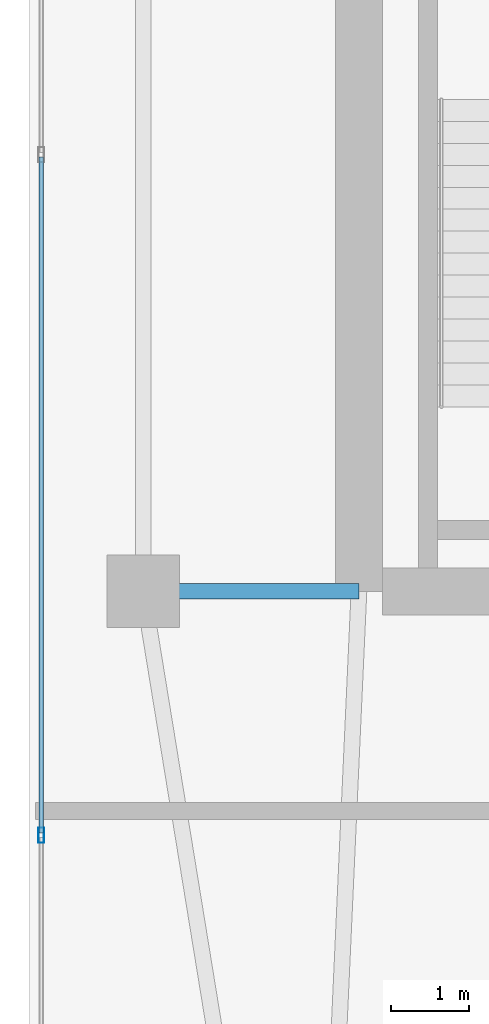
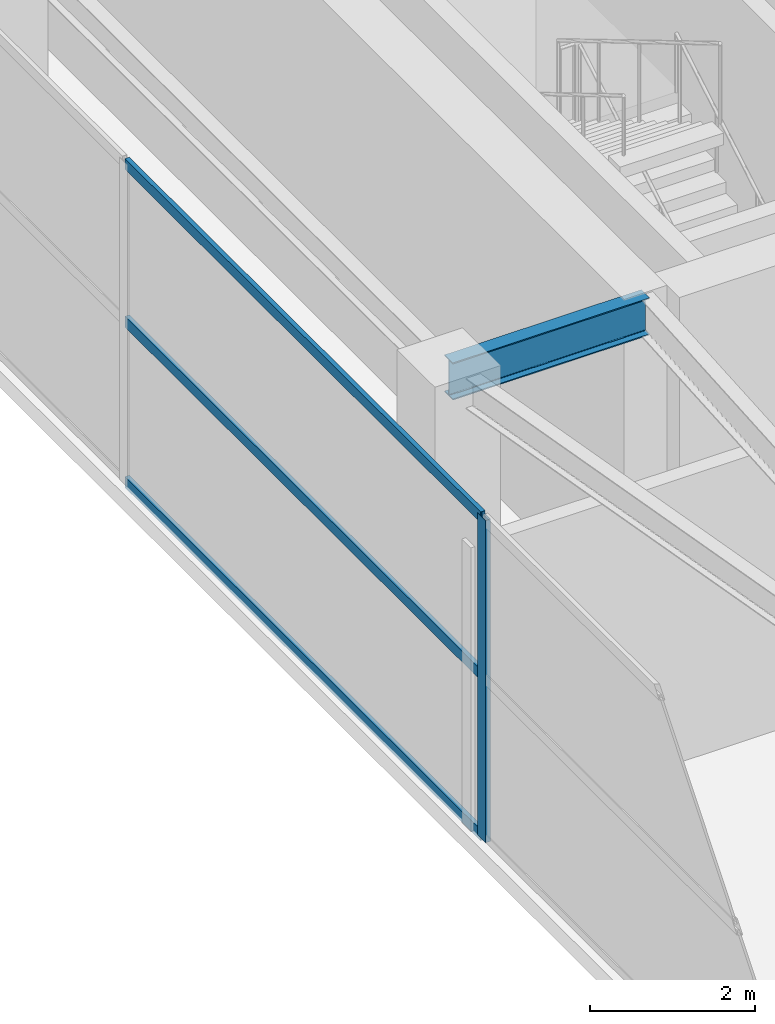
# One storey, part 5 of 20: 4 members, 1 beam, 1 element without a shape of its own.
"""IFC4 building model written with IfcOpenShell, lengths in metres."""

from ifc_helpers import new_model, si_unit, direction, frame, origin, origin_2d, place, context, subcontext, project, spatial, hollow_rectangle, i_section, extrude, material, layer, layer_set, material_profile, profile_set, type_object, element, aggregate, save


model = new_model("IFC4")

# Units and contexts
model_context = context("Model", 3, precision=1e-05, world=origin(), true_north=direction((0.0, 1.0)))
body_context = subcontext(model_context, "Body", "Model", "MODEL_VIEW")
ifc_project = project(units=[si_unit("LENGTHUNIT", "METRE"), si_unit("AREAUNIT", "SQUARE_METRE"), si_unit("VOLUMEUNIT", "CUBIC_METRE"), si_unit("PLANEANGLEUNIT", "RADIAN"), si_unit("MASSUNIT", "GRAM", prefix="KILO")], contexts=[model_context])

# Site, building, storey
site_placement = place(None, origin())
site = spatial("IfcSite", under=ifc_project, at=site_placement, CompositionType="ELEMENT")
building_placement = place(site_placement, origin())
building = spatial("IfcBuilding", under=site, at=building_placement, Name="Calvorn Quay Hotel", CompositionType="ELEMENT")
storey_placement = place(building_placement, frame((0.0, 0.0, 335.5)))
storey = spatial("IfcBuildingStorey", under=building, at=storey_placement, Name="L82", CompositionType="ELEMENT", Elevation=335.5)

# Beam
ifc_material_1 = material(Name="Steel Q355B", Category="steel")
ifc_material_profile_1 = material_profile(ifc_material_1, i_section(OverallWidth=0.199951171875, OverallDepth=0.550048828125, WebThickness=0.010009765625, FlangeThickness=0.01611328125, FilletRadius=0.01806640625, at=origin_2d()), Name="HN550x200x10x16")
ifc_profile_set_1 = profile_set([ifc_material_profile_1], Name="Steel Q355B")
beam_type = type_object("IfcBeamType", Name="BM-GIRD-UPP", PredefinedType="BEAM", material=ifc_profile_set_1)
beam_placement = place(storey_placement, frame((1.449951171875, 16.800048828125, 4.465087890625), z_axis=(1.0, 0.0, 0.0), x_axis=(0.0, 1.0, 0.0)))
element("IfcBeam", 1, at=beam_placement, inside=storey, type_object=beam_type, Name="Beam BG-L82-W1", PredefinedType="BEAM", context=body_context, shape_type="SweptSolid", body=[
    extrude(i_section(OverallWidth=0.199951171875, OverallDepth=0.550048828125, WebThickness=0.010009765625, FlangeThickness=0.01611328125, FilletRadius=0.01806640625, at=origin_2d()), origin(), (0.0, 0.0, 1.0), 2.75),
])

# Curtain wall, members
ifc_material_2 = material(Name="Pale Anodised Aluminium and Laminated Glass", Category="aluminium")
ifc_layer = layer(ifc_material_2, 0.219970703125)
ifc_layer_set = layer_set([ifc_layer], Name="CW-SYS-CRN")
curtain_wall_type = type_object("IfcCurtainWallType", Name="CW-SYS-CRN", PredefinedType="NOTDEFINED", material=ifc_layer_set)
curtain_wall_placement = place(storey_placement, origin())
curtain_wall = element("IfcCurtainWall", 2, at=curtain_wall_placement, inside=storey, type_object=curtain_wall_type, Name="Crown Curtain Wall L82-C5", PredefinedType="NOTDEFINED")
ifc_material_3 = material(Name="Pale Anodised Aluminium 6063-T6", Category="aluminium")
ifc_material_profile_2 = material_profile(ifc_material_3, hollow_rectangle(XDim=0.072021484375, YDim=0.195068359375, WallThickness=0.00390625, at=origin_2d()), Name="ALU-M195x72x4")
ifc_profile_set_2 = profile_set([ifc_material_profile_2], Name="Pale Anodised Aluminium 6063-T6")
member_type_1 = type_object("IfcMemberType", Name="CW-SYS-CRN-MUL", PredefinedType="MULLION", material=ifc_profile_set_2)
member_1_placement = place(storey_placement, frame((0.14990234375, 13.69189453125, 0.0), z_axis=(0.0, 0.0, 1.0), x_axis=(1.0, 0.0, 0.0)))
member_1 = element("IfcMember", 3, at=member_1_placement, type_object=member_type_1, Name="CW-L82-C5 mullion 5", PredefinedType="MULLION", context=body_context, shape_type="SweptSolid", body=[
    extrude(hollow_rectangle(XDim=0.072021484375, YDim=0.195068359375, WallThickness=0.00390625, at=origin_2d()), origin(), (0.0, 0.0, 1.0), 4.760009765625),
])
ifc_material_4 = material(Name="Pale Anodised Aluminium 6063-T6", Category="aluminium")
ifc_material_profile_3 = material_profile(ifc_material_4, hollow_rectangle(XDim=0.06201171875, YDim=0.159912109375, WallThickness=0.00341796875, at=origin_2d()), Name="ALU-T160x62x3.5")
ifc_profile_set_3 = profile_set([ifc_material_profile_3], Name="Pale Anodised Aluminium 6063-T6")
member_type_2 = type_object("IfcMemberType", Name="CW-SYS-CRN-TRN", PredefinedType="USERDEFINED", material=ifc_profile_set_3)
member_2_placement = place(storey_placement, frame((0.14990234375, 22.333984375, 0.030029296875), z_axis=(0.0, -1.0, 0.0), x_axis=(1.0, 0.0, 0.0)))
member_2 = element("IfcMember", 4, at=member_2_placement, type_object=member_type_2, Name="CW-L82-C5 transom 4.1", ObjectType="TRANSOM", PredefinedType="USERDEFINED", context=body_context, shape_type="SweptSolid", body=[
    extrude(hollow_rectangle(XDim=0.06201171875, YDim=0.159912109375, WallThickness=0.00341796875, at=origin_2d()), origin(), (0.0, 0.0, 1.0), 8.612060546875),
])
member_3_placement = place(storey_placement, frame((0.14990234375, 22.333984375, 2.39990234375), z_axis=(0.0, -1.0, 0.0), x_axis=(1.0, 0.0, 0.0)))
member_3 = element("IfcMember", 5, at=member_3_placement, type_object=member_type_2, Name="CW-L82-C5 transom 4.2", ObjectType="TRANSOM", PredefinedType="USERDEFINED", context=body_context, shape_type="SweptSolid", body=[
    extrude(hollow_rectangle(XDim=0.06201171875, YDim=0.159912109375, WallThickness=0.00341796875, at=origin_2d()), origin(), (0.0, 0.0, 1.0), 8.612060546875),
])
member_4_placement = place(storey_placement, frame((0.14990234375, 22.333984375, 4.72998046875), z_axis=(0.0, -1.0, 0.0), x_axis=(1.0, 0.0, 0.0)))
member_4 = element("IfcMember", 6, at=member_4_placement, type_object=member_type_2, Name="CW-L82-C5 transom 4.3", ObjectType="TRANSOM", PredefinedType="USERDEFINED", context=body_context, shape_type="SweptSolid", body=[
    extrude(hollow_rectangle(XDim=0.06201171875, YDim=0.159912109375, WallThickness=0.00341796875, at=origin_2d()), origin(), (0.0, 0.0, 1.0), 8.612060546875),
])
aggregate(curtain_wall, [member_1, member_2, member_3, member_4])

save(model, "model.ifc")
